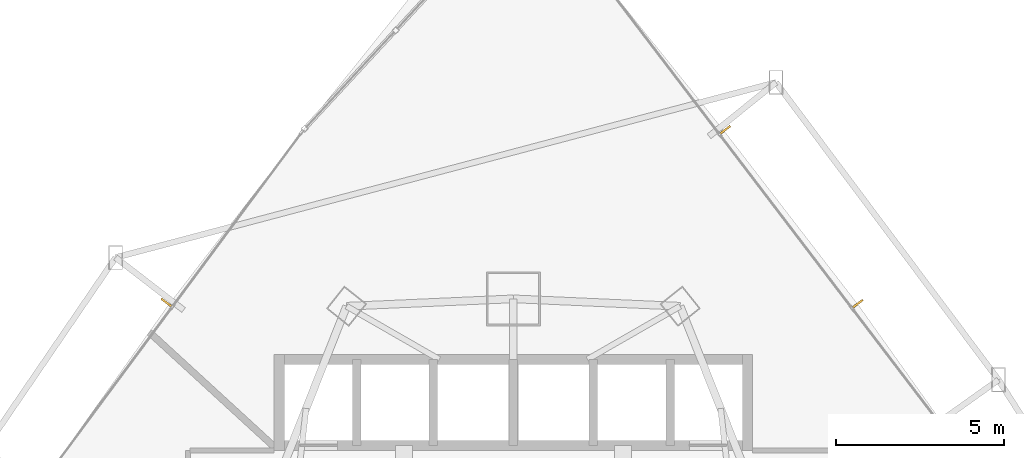
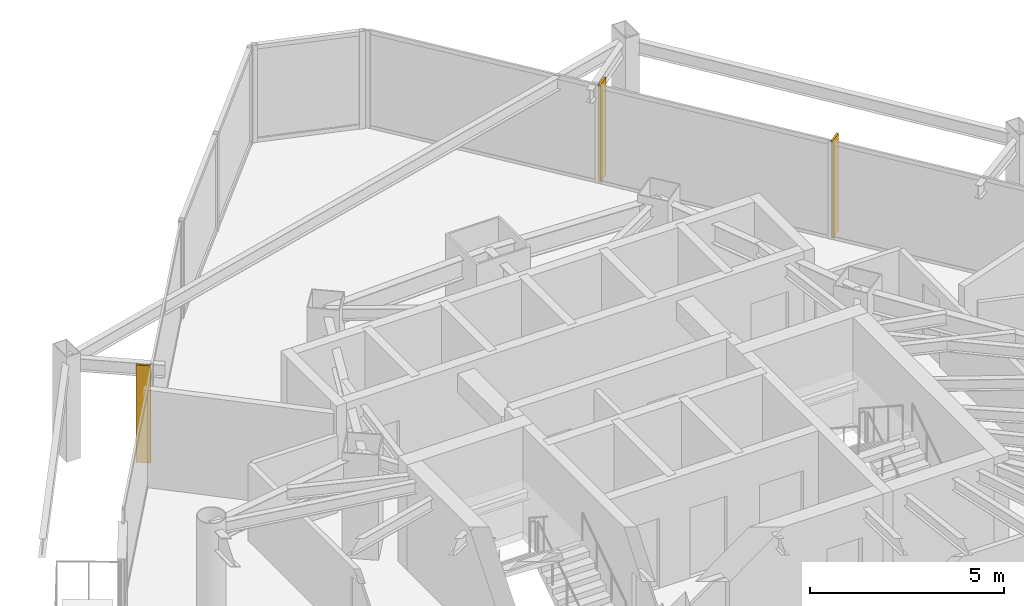
# One storey, part 35 of 35: 3 shading devices.
"""IFC4 building model written with IfcOpenShell, lengths in metres."""

from ifc_helpers import new_model, si_unit, direction, frame, origin, origin_2d, place, context, subcontext, project, spatial, rectangle, extrude, material, layer, layer_set, type_object, element, save


model = new_model("IFC4")

# Units and contexts
model_context = context("Model", 3, precision=1e-05, world=origin(), true_north=direction((0.0, 1.0)))
body_context = subcontext(model_context, "Body", "Model", "MODEL_VIEW")
ifc_project = project(units=[si_unit("LENGTHUNIT", "METRE"), si_unit("AREAUNIT", "SQUARE_METRE"), si_unit("VOLUMEUNIT", "CUBIC_METRE"), si_unit("PLANEANGLEUNIT", "RADIAN"), si_unit("MASSUNIT", "GRAM", prefix="KILO")], contexts=[model_context])

# Site, building, storey
site_placement = place(None, origin())
site = spatial("IfcSite", under=ifc_project, at=site_placement, CompositionType="ELEMENT")
building_placement = place(site_placement, origin())
building = spatial("IfcBuilding", under=site, at=building_placement, Name="Orvanel Arch Residences", CompositionType="ELEMENT")
storey_placement = place(building_placement, frame((0.0, 0.0, 33.5)))
storey = spatial("IfcBuildingStorey", under=building, at=storey_placement, Name="L08", CompositionType="ELEMENT", Elevation=33.5)

# Shading devices
ifc_material = material(Name="Bronze-anodised aluminium AA6063-T6", Category="aluminium")
ifc_layer = layer(ifc_material, 0.06005859375)
ifc_layer_set = layer_set([ifc_layer], Name="Bronze-anodised aluminium AA6063-T6")
shading_device_type = type_object("IfcShadingDeviceType", Name="FIN-BRZ-380", PredefinedType="USERDEFINED", material=ifc_layer_set)
for number, where, z_axis, x_axis, name in (
    (1, (22.699951171875, 41.2890625, 0.0), (0.0, 0.0, 1.0), (-0.803856860617, 0.594822786751, 0.0), "L08 Anodised Bronze Mullion FIN 01"),
    (2, (43.219970703125, 41.251953125, 0.0), (0.0, 0.0, 1.0), (0.795473480855, 0.605988400266, 0.0), "L08 Anodised Bronze Mullion FIN 01"),
    (3, (39.2880859375, 46.4130859375, 0.0), (0.0, 0.0, 1.0), (0.795473480855, 0.605988400266, 0.0), "L08 Anodised Bronze Mullion FIN 02"),
):
    element("IfcShadingDevice", number, at=place(storey_placement, frame(where, z_axis=z_axis, x_axis=x_axis)), inside=storey, type_object=shading_device_type, Name=name, ObjectType="FIN", PredefinedType="USERDEFINED", context=body_context, shape_type="SweptSolid", body=[
        extrude(rectangle(XDim=0.3798828125, YDim=0.06005859375, at=origin_2d()), origin(), (0.0, 0.0, 1.0), 3.06005859375),
    ])

save(model, "model.ifc")
